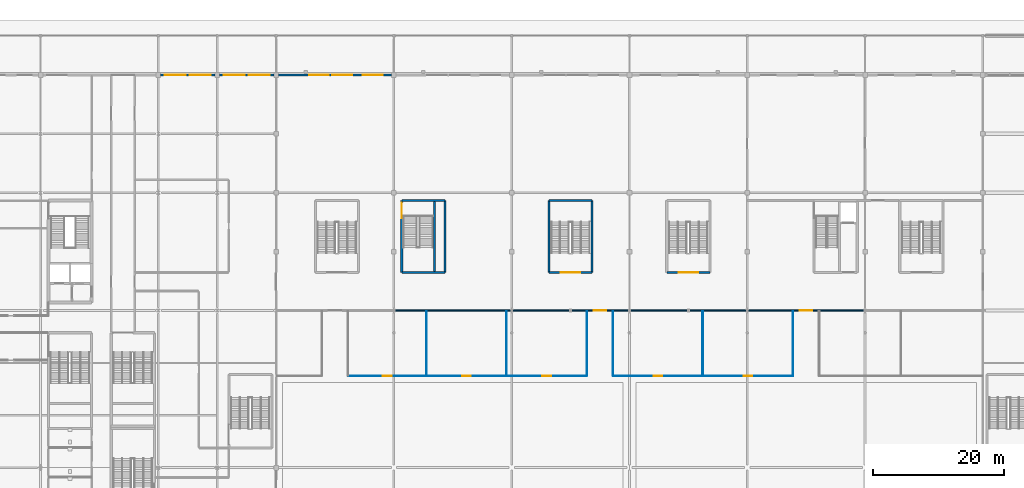
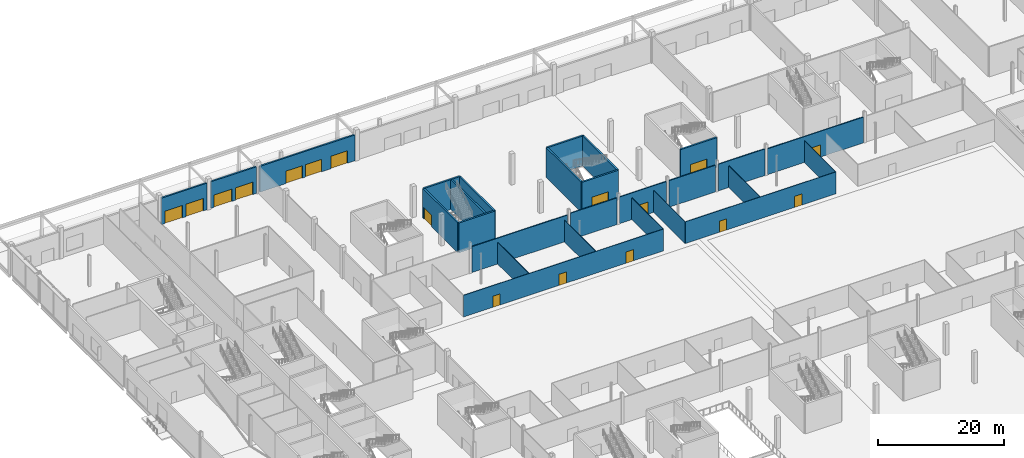
# One storey, part 36 of 84: 27 walls, 17 doors, 17 openings.
"""IFC4 building model written with IfcOpenShell, lengths in metres."""

from ifc_helpers import new_model, si_unit, direction, frame, frame_2d, origin, place, context, subcontext, project, spatial, rectangle, extrude, material, layer, layer_set, type_object, element, fill, save


model = new_model("IFC4")

# Units and contexts
model_context = context("Model", 3, precision=1e-05, world=origin(), true_north=direction((0.0, 1.0)))
body_context = subcontext(model_context, "Body", "Model", "MODEL_VIEW")
ifc_project = project(units=[si_unit("LENGTHUNIT", "METRE"), si_unit("AREAUNIT", "SQUARE_METRE"), si_unit("VOLUMEUNIT", "CUBIC_METRE"), si_unit("PLANEANGLEUNIT", "RADIAN"), si_unit("MASSUNIT", "GRAM", prefix="KILO")], contexts=[model_context])

# Site, building, storey
site_placement = place(None, origin())
site = spatial("IfcSite", under=ifc_project, at=site_placement, CompositionType="ELEMENT")
building_placement = place(site_placement, origin())
building = spatial("IfcBuilding", under=site, at=building_placement, Name="Kisiwana Market Hall", CompositionType="ELEMENT")
storey_placement = place(building_placement, origin())
storey = spatial("IfcBuildingStorey", under=building, at=storey_placement, Name="L00", CompositionType="ELEMENT", Elevation=0.0)

# Walls
ifc_material_1 = material(Name="Concrete C40/50", Category="concrete")
ifc_layer_1 = layer(ifc_material_1, 0.320068359375, Name="Reinforced concrete shaft wall")
ifc_layer_set_1 = layer_set([ifc_layer_1], Name="WL-CORE-320")
wall_type_1 = type_object("IfcWallType", Name="WL-CORE-320", PredefinedType="SHEAR", material=ifc_layer_set_1)
for number, where, z_axis, x_axis, name in (
    (1, (64.199951171875, 89.800048828125, 0.0), (0.0, 0.0, 1.0), (1.0, 0.0, 0.0), "Core N1 south wall W-0382"),
    (2, (64.199951171875, 100.800048828125, 0.0), (0.0, 0.0, 1.0), (1.0, 0.0, 0.0), "Core N1 north wall W-0383"),
):
    element("IfcWall", number, at=place(storey_placement, frame(where, z_axis=z_axis, x_axis=x_axis)), inside=storey, type_object=wall_type_1, Name=name, PredefinedType="SHEAR", context=body_context, shape_type="SweptSolid", body=[
        extrude(rectangle(XDim=6.60009765625, YDim=0.320068359375, at=frame_2d((3.300048828125, 0.0))), origin(), (0.0, 0.0, 1.0), 5.75),
    ])

# Wall, opening, door
wall_1_placement = place(storey_placement, frame((64.199951171875, 89.800048828125, 0.0), z_axis=(0.0, 0.0, 1.0), x_axis=(0.0, 1.0, 0.0)))
wall_1 = element("IfcWall", 3, at=wall_1_placement, inside=storey, type_object=wall_type_1, Name="Core N1 west wall W-0384", PredefinedType="SHEAR", context=body_context, shape_type="SweptSolid", body=[
    extrude(rectangle(XDim=11.0, YDim=0.320068359375, at=frame_2d((5.5, 0.0))), origin(), (0.0, 0.0, 1.0), 5.75),
])
opening_1_placement = place(wall_1_placement, frame((8.300048828125, 0.0, 0.0)))
opening_1 = element("IfcOpeningElement", 4, at=opening_1_placement, cuts=wall_1, Name="Opening DR-L00-016", PredefinedType="OPENING", context=body_context, shape_type="SweptSolid", body=[
    extrude(rectangle(XDim=2.39990234375, YDim=2.25, at=frame_2d((1.199951171875, 1.125))), frame((0.0, 0.171875, 0.0), z_axis=(0.0, -1.0, 0.0), x_axis=(1.0, 0.0, 0.0)), (0.0, 0.0, 1.0), 0.343994140625),
])
ifc_material_2 = material(Name="Steel S275", Category="steel")
door_type_1 = type_object("IfcDoorType", Name="DR-STAIR-FD120-2400", OperationType="DOUBLE_DOOR_SINGLE_SWING", PredefinedType="DOOR", material=ifc_material_2)
door_1_placement = place(opening_1_placement, origin())
door_1 = element("IfcDoor", 5, at=door_1_placement, inside=storey, type_object=door_type_1, Name="Podium Escape Stair N1 Fire Door (L00)", OperationType="DOUBLE_DOOR_SINGLE_SWING", OverallHeight=2.25, OverallWidth=2.39990234375, PredefinedType="DOOR", context=body_context, shape_type="SweptSolid", body=[
    extrude(rectangle(XDim=2.39990234375, YDim=2.25, at=frame_2d((1.199951171875, 1.125))), frame((0.0, 0.02490234375, 0.0), z_axis=(0.0, -1.0, 0.0), x_axis=(1.0, 0.0, 0.0)), (0.0, 0.0, 1.0), 0.050048828125),
])
fill(opening_1, door_1)

# Walls
wall_2_placement = place(storey_placement, frame((70.800048828125, 89.800048828125, 0.0), z_axis=(0.0, 0.0, 1.0), x_axis=(0.0, 1.0, 0.0)))
element("IfcWall", 6, at=wall_2_placement, inside=storey, type_object=wall_type_1, Name="Core N1 east wall W-0385", PredefinedType="SHEAR", context=body_context, shape_type="SweptSolid", body=[
    extrude(rectangle(XDim=11.0, YDim=0.320068359375, at=frame_2d((5.5, 0.0))), origin(), (0.0, 0.0, 1.0), 5.75),
])
wall_3_placement = place(storey_placement, frame((69.219970703125, 89.9599609375, 0.0), z_axis=(0.0, 0.0, 1.0), x_axis=(0.0, 1.0, 0.0)))
element("IfcWall", 7, at=wall_3_placement, inside=storey, type_object=wall_type_1, Name="Core N1 shaft divider W-0386", PredefinedType="SHEAR", context=body_context, shape_type="SweptSolid", body=[
    extrude(rectangle(XDim=10.679931640625, YDim=0.320068359375, at=frame_2d((5.33984375, 0.0))), origin(), (0.0, 0.0, 1.0), 5.75),
])

# Wall, opening, door
wall_4_placement = place(storey_placement, frame((86.699951171875, 89.800048828125, 0.0), z_axis=(0.0, 0.0, 1.0), x_axis=(1.0, 0.0, 0.0)))
wall_4 = element("IfcWall", 8, at=wall_4_placement, inside=storey, type_object=wall_type_1, Name="Core N4 corridor shear wall W-0469", PredefinedType="SHEAR", context=body_context, shape_type="SweptSolid", body=[
    extrude(rectangle(XDim=6.60009765625, YDim=0.320068359375, at=frame_2d((3.300048828125, 0.0))), origin(), (0.0, 0.0, 1.0), 5.75),
])
opening_2_placement = place(wall_4_placement, frame((1.800048828125, 0.0, 0.0)))
opening_2 = element("IfcOpeningElement", 9, at=opening_2_placement, cuts=wall_4, Name="Opening DR-L00-036", PredefinedType="OPENING", context=body_context, shape_type="SweptSolid", body=[
    extrude(rectangle(XDim=3.0, YDim=2.25, at=frame_2d((1.5, 1.125))), frame((0.0, 0.171875, 0.0), z_axis=(0.0, -1.0, 0.0), x_axis=(1.0, 0.0, 0.0)), (0.0, 0.0, 1.0), 0.343994140625),
])
ifc_material_3 = material(Name="Steel S275", Category="steel")
door_type_2 = type_object("IfcDoorType", Name="DR-STAIR-FD120-3000", OperationType="DOUBLE_DOOR_SINGLE_SWING", PredefinedType="DOOR", material=ifc_material_3)
door_2_placement = place(opening_2_placement, frame((3.0, 0.0, 0.0), z_axis=(0.0, 0.0, 1.0), x_axis=(-1.0, 0.0, 0.0)))
door_2 = element("IfcDoor", 10, at=door_2_placement, inside=storey, type_object=door_type_2, Name="Escape Stair N4 Fire Door (L00)", OperationType="DOUBLE_DOOR_SINGLE_SWING", OverallHeight=2.25, OverallWidth=3.0, PredefinedType="DOOR", context=body_context, shape_type="SweptSolid", body=[
    extrude(rectangle(XDim=3.0, YDim=2.25, at=frame_2d((1.5, 1.125))), frame((0.0, 0.02490234375, 0.0), z_axis=(0.0, -1.0, 0.0), x_axis=(1.0, 0.0, 0.0)), (0.0, 0.0, 1.0), 0.050048828125),
])
fill(opening_2, door_2)

# Walls
wall_5_placement = place(storey_placement, frame((86.699951171875, 100.800048828125, 0.0), z_axis=(0.0, 0.0, 1.0), x_axis=(1.0, 0.0, 0.0)))
element("IfcWall", 11, at=wall_5_placement, inside=storey, type_object=wall_type_1, Name="Core N4 outer shear wall W-0470", PredefinedType="SHEAR", context=body_context, shape_type="SweptSolid", body=[
    extrude(rectangle(XDim=6.60009765625, YDim=0.320068359375, at=frame_2d((3.300048828125, 0.0))), origin(), (0.0, 0.0, 1.0), 5.75),
])
for number, where, z_axis, x_axis, name in (
    (12, (86.699951171875, 89.800048828125, 0.0), (0.0, 0.0, 1.0), (0.0, 1.0, 0.0), "Core N4 west shear wall W-0471"),
    (13, (93.300048828125, 89.800048828125, 0.0), (0.0, 0.0, 1.0), (0.0, 1.0, 0.0), "Core N4 east shear wall W-0472"),
):
    element("IfcWall", number, at=place(storey_placement, frame(where, z_axis=z_axis, x_axis=x_axis)), inside=storey, type_object=wall_type_1, Name=name, PredefinedType="SHEAR", context=body_context, shape_type="SweptSolid", body=[
        extrude(rectangle(XDim=11.0, YDim=0.320068359375, at=frame_2d((5.5, 0.0))), origin(), (0.0, 0.0, 1.0), 5.75),
    ])

# Wall, opening, door
wall_6_placement = place(storey_placement, frame((104.699951171875, 89.800048828125, 0.0), z_axis=(0.0, 0.0, 1.0), x_axis=(1.0, 0.0, 0.0)))
wall_6 = element("IfcWall", 14, at=wall_6_placement, inside=storey, type_object=wall_type_1, Name="Core N5 corridor shear wall W-0477", PredefinedType="SHEAR", context=body_context, shape_type="SweptSolid", body=[
    extrude(rectangle(XDim=6.60009765625, YDim=0.320068359375, at=frame_2d((3.300048828125, 0.0))), origin(), (0.0, 0.0, 1.0), 5.75),
])
opening_3_placement = place(wall_6_placement, frame((1.800048828125, 0.0, 0.0)))
opening_3 = element("IfcOpeningElement", 15, at=opening_3_placement, cuts=wall_6, Name="Opening DR-L00-038", PredefinedType="OPENING", context=body_context, shape_type="SweptSolid", body=[
    extrude(rectangle(XDim=3.0, YDim=2.25, at=frame_2d((1.5, 1.125))), frame((0.0, 0.171875, 0.0), z_axis=(0.0, -1.0, 0.0), x_axis=(1.0, 0.0, 0.0)), (0.0, 0.0, 1.0), 0.343994140625),
])
door_3_placement = place(opening_3_placement, frame((3.0, 0.0, 0.0), z_axis=(0.0, 0.0, 1.0), x_axis=(-1.0, 0.0, 0.0)))
door_3 = element("IfcDoor", 16, at=door_3_placement, inside=storey, type_object=door_type_2, Name="Escape Stair N5 Fire Door (L00)", OperationType="DOUBLE_DOOR_SINGLE_SWING", OverallHeight=2.25, OverallWidth=3.0, PredefinedType="DOOR", context=body_context, shape_type="SweptSolid", body=[
    extrude(rectangle(XDim=3.0, YDim=2.25, at=frame_2d((1.5, 1.125))), frame((0.0, 0.02490234375, 0.0), z_axis=(0.0, -1.0, 0.0), x_axis=(1.0, 0.0, 0.0)), (0.0, 0.0, 1.0), 0.050048828125),
])
fill(opening_3, door_3)

# Walls
ifc_material_4 = material(Name="Masonry blockwork", Category="masonry")
ifc_layer_2 = layer(ifc_material_4, 0.169921875, Name="Protected corridor partition")
ifc_layer_set_2 = layer_set([ifc_layer_2], Name="WL-CORR-170")
wall_type_2 = type_object("IfcWallType", Name="WL-CORR-170", PredefinedType="PARTITIONING", material=ifc_layer_set_2)
wall_7_placement = place(storey_placement, frame((63.25, 84.0, 0.0), z_axis=(0.0, 0.0, 1.0), x_axis=(1.0, 0.0, 0.0)))
element("IfcWall", 17, at=wall_7_placement, inside=storey, type_object=wall_type_2, Name="Interior partition W-0628", PredefinedType="PARTITIONING", context=body_context, shape_type="SweptSolid", body=[
    extrude(rectangle(XDim=17.5, YDim=0.169921875, at=frame_2d((8.75, 0.0))), origin(), (0.0, 0.0, 1.0), 4.98779296875),
])
wall_8_placement = place(storey_placement, frame((81.25, 84.0, 0.0), z_axis=(0.0, 0.0, 1.0), x_axis=(1.0, 0.0, 0.0)))
element("IfcWall", 18, at=wall_8_placement, inside=storey, type_object=wall_type_2, Name="Interior partition W-0630", PredefinedType="PARTITIONING", context=body_context, shape_type="SweptSolid", body=[
    extrude(rectangle(XDim=8.5, YDim=0.169921875, at=frame_2d((4.25, 0.0))), origin(), (0.0, 0.0, 1.0), 5.1376953125),
])

# Wall, opening, door
wall_9_placement = place(storey_placement, frame((90.25, 84.0, 0.0), z_axis=(0.0, 0.0, 1.0), x_axis=(1.0, 0.0, 0.0)))
wall_9 = element("IfcWall", 19, at=wall_9_placement, inside=storey, type_object=wall_type_2, Name="Interior partition W-0632", PredefinedType="PARTITIONING", context=body_context, shape_type="SweptSolid", body=[
    extrude(rectangle(XDim=8.5, YDim=0.169921875, at=frame_2d((4.25, 0.0))), origin(), (0.0, 0.0, 1.0), 5.1376953125),
])
opening_4_placement = place(wall_9_placement, frame((3.300048828125, 0.0, 0.0)))
opening_4 = element("IfcOpeningElement", 20, at=opening_4_placement, cuts=wall_9, Name="Opening DR-L00-098", PredefinedType="OPENING", context=body_context, shape_type="SweptSolid", body=[
    extrude(rectangle(XDim=1.89990234375, YDim=2.35009765625, at=frame_2d((0.949951171875, 1.175048828125))), frame((0.0, 0.096923828125, 0.0), z_axis=(0.0, -1.0, 0.0), x_axis=(1.0, 0.0, 0.0)), (0.0, 0.0, 1.0), 0.19384765625),
])
ifc_material_5 = material(Name="Steel S275", Category="steel")
door_type_3 = type_object("IfcDoorType", Name="DR-HALL-1900", OperationType="DOUBLE_DOOR_SINGLE_SWING", PredefinedType="DOOR", material=ifc_material_5)
door_4_placement = place(opening_4_placement, origin())
door_4 = element("IfcDoor", 21, at=door_4_placement, inside=storey, type_object=door_type_3, Name="L00 Market Hall North Archway Door 2", OperationType="DOUBLE_DOOR_SINGLE_SWING", OverallHeight=2.35009765625, OverallWidth=1.89990234375, PredefinedType="DOOR", context=body_context, shape_type="SweptSolid", body=[
    extrude(rectangle(XDim=1.89990234375, YDim=2.35009765625, at=frame_2d((0.949951171875, 1.175048828125))), frame((0.0, 0.02490234375, 0.0), z_axis=(0.0, -1.0, 0.0), x_axis=(1.0, 0.0, 0.0)), (0.0, 0.0, 1.0), 0.050048828125),
])
fill(opening_4, door_4)

# Walls
for number, where, z_axis, x_axis, name in (
    (22, (99.25, 84.0, 0.0), (0.0, 0.0, 1.0), (1.0, 0.0, 0.0), "Interior partition W-0634"),
    (23, (108.25, 84.0, 0.0), (0.0, 0.0, 1.0), (1.0, 0.0, 0.0), "Interior partition W-0636"),
):
    element("IfcWall", number, at=place(storey_placement, frame(where, z_axis=z_axis, x_axis=x_axis)), inside=storey, type_object=wall_type_2, Name=name, PredefinedType="PARTITIONING", context=body_context, shape_type="SweptSolid", body=[
        extrude(rectangle(XDim=8.5, YDim=0.169921875, at=frame_2d((4.25, 0.0))), origin(), (0.0, 0.0, 1.0), 5.1376953125),
    ])

# Wall, opening, door
wall_10_placement = place(storey_placement, frame((117.25, 84.0, 0.0), z_axis=(0.0, 0.0, 1.0), x_axis=(1.0, 0.0, 0.0)))
wall_10 = element("IfcWall", 24, at=wall_10_placement, inside=storey, type_object=wall_type_2, Name="Interior partition W-0638", PredefinedType="PARTITIONING", context=body_context, shape_type="SweptSolid", body=[
    extrude(rectangle(XDim=17.5, YDim=0.169921875, at=frame_2d((8.75, 0.0))), origin(), (0.0, 0.0, 1.0), 4.98779296875),
])
opening_5_placement = place(wall_10_placement, frame((7.800048828125, 0.0, 0.0)))
opening_5 = element("IfcOpeningElement", 25, at=opening_5_placement, cuts=wall_10, Name="Opening DR-L00-100", PredefinedType="OPENING", context=body_context, shape_type="SweptSolid", body=[
    extrude(rectangle(XDim=1.89990234375, YDim=2.35009765625, at=frame_2d((0.949951171875, 1.175048828125))), frame((0.0, 0.096923828125, 0.0), z_axis=(0.0, -1.0, 0.0), x_axis=(1.0, 0.0, 0.0)), (0.0, 0.0, 1.0), 0.19384765625),
])
door_5_placement = place(opening_5_placement, origin())
door_5 = element("IfcDoor", 26, at=door_5_placement, inside=storey, type_object=door_type_3, Name="L00 Market Hall North Archway Door 3", OperationType="DOUBLE_DOOR_SINGLE_SWING", OverallHeight=2.35009765625, OverallWidth=1.89990234375, PredefinedType="DOOR", context=body_context, shape_type="SweptSolid", body=[
    extrude(rectangle(XDim=1.89990234375, YDim=2.35009765625, at=frame_2d((0.949951171875, 1.175048828125))), frame((0.0, 0.02490234375, 0.0), z_axis=(0.0, -1.0, 0.0), x_axis=(1.0, 0.0, 0.0)), (0.0, 0.0, 1.0), 0.050048828125),
])
fill(opening_5, door_5)

# Wall, openings, doors
ifc_material_6 = material(Name="Masonry blockwork", Category="masonry")
ifc_layer_3 = layer(ifc_material_6, 0.139892578125, Name="Rendered masonry outer leaf")
ifc_material_7 = material(Name="Mineral wool insulation")
ifc_layer_4 = layer(ifc_material_7, 0.074951171875, Name="Mineral wool cavity insulation")
ifc_material_8 = material(Name="Gypsum plasterboard")
ifc_layer_5 = layer(ifc_material_8, 0.074951171875, Name="Calcium silicate inner lining")
ifc_layer_set_3 = layer_set([ifc_layer_3, ifc_layer_4, ifc_layer_5], Name="WL-EXT-MAS-290")
wall_type_3 = type_object("IfcWallType", Name="WL-EXT-MAS-290", PredefinedType="STANDARD", material=ifc_layer_set_3)
wall_11_placement = place(storey_placement, frame((27.342041015625, 120.0, 0.0), z_axis=(0.0, 0.0, 1.0), x_axis=(1.0, 0.0, 0.0)))
wall_11 = element("IfcWall", 27, at=wall_11_placement, inside=storey, type_object=wall_type_3, Name="Exterior wall W-0505", PredefinedType="STANDARD", context=body_context, shape_type="SweptSolid", body=[
    extrude(rectangle(XDim=8.31591796875, YDim=0.2900390625, at=frame_2d((4.157958984375, 0.0))), origin(), (0.0, 0.0, 1.0), 5.1376953125),
])
opening_6_placement = place(wall_11_placement, frame((0.62890625, 0.0, 0.0)))
opening_6 = element("IfcOpeningElement", 28, at=opening_6_placement, cuts=wall_11, Name="Opening DR-L00-832", PredefinedType="OPENING", context=body_context, shape_type="SweptSolid", body=[
    extrude(rectangle(XDim=3.199951171875, YDim=2.39990234375, at=frame_2d((1.60009765625, 1.199951171875))), frame((0.0, 0.156982421875, 0.0), z_axis=(0.0, -1.0, 0.0), x_axis=(1.0, 0.0, 0.0)), (0.0, 0.0, 1.0), 0.31396484375),
])
opening_7_placement = place(wall_11_placement, frame((4.487060546875, 0.0, 0.0)))
opening_7 = element("IfcOpeningElement", 29, at=opening_7_placement, cuts=wall_11, Name="Opening DR-L00-833", PredefinedType="OPENING", context=body_context, shape_type="SweptSolid", body=[
    extrude(rectangle(XDim=3.199951171875, YDim=2.39990234375, at=frame_2d((1.60009765625, 1.199951171875))), frame((0.0, 0.156982421875, 0.0), z_axis=(0.0, -1.0, 0.0), x_axis=(1.0, 0.0, 0.0)), (0.0, 0.0, 1.0), 0.31396484375),
])
ifc_material_9 = material(Name="Aluminium alloy 6063-T6", Category="aluminium")
door_type_4 = type_object("IfcDoorType", Name="DR-EXT-EX-3200", OperationType="DOUBLE_DOOR_SINGLE_SWING", PredefinedType="DOOR", material=ifc_material_9)
door_6_placement = place(opening_6_placement, origin())
door_6 = element("IfcDoor", 30, at=door_6_placement, inside=storey, type_object=door_type_4, Name="Ground avenue pedestrian final exit door DR-L00-832", OperationType="DOUBLE_DOOR_SINGLE_SWING", OverallHeight=2.39990234375, OverallWidth=3.199951171875, PredefinedType="DOOR", context=body_context, shape_type="SweptSolid", body=[
    extrude(rectangle(XDim=3.199951171875, YDim=2.39990234375, at=frame_2d((1.60009765625, 1.199951171875))), frame((0.0, 0.02490234375, 0.0), z_axis=(0.0, -1.0, 0.0), x_axis=(1.0, 0.0, 0.0)), (0.0, 0.0, 1.0), 0.050048828125),
])
fill(opening_6, door_6)
door_7_placement = place(opening_7_placement, origin())
door_7 = element("IfcDoor", 31, at=door_7_placement, inside=storey, type_object=door_type_4, Name="Ground avenue pedestrian final exit door DR-L00-833", OperationType="DOUBLE_DOOR_SINGLE_SWING", OverallHeight=2.39990234375, OverallWidth=3.199951171875, PredefinedType="DOOR", context=body_context, shape_type="SweptSolid", body=[
    extrude(rectangle(XDim=3.199951171875, YDim=2.39990234375, at=frame_2d((1.60009765625, 1.199951171875))), frame((0.0, 0.02490234375, 0.0), z_axis=(0.0, -1.0, 0.0), x_axis=(1.0, 0.0, 0.0)), (0.0, 0.0, 1.0), 0.050048828125),
])
fill(opening_7, door_7)

wall_12_placement = place(storey_placement, frame((36.342041015625, 120.0, 0.0), z_axis=(0.0, 0.0, 1.0), x_axis=(1.0, 0.0, 0.0)))
wall_12 = element("IfcWall", 32, at=wall_12_placement, inside=storey, type_object=wall_type_3, Name="Exterior wall W-0506", PredefinedType="STANDARD", context=body_context, shape_type="SweptSolid", body=[
    extrude(rectangle(XDim=8.31591796875, YDim=0.2900390625, at=frame_2d((4.157958984375, 0.0))), origin(), (0.0, 0.0, 1.0), 5.1376953125),
])
opening_8_placement = place(wall_12_placement, frame((0.62890625, 0.0, 0.0)))
opening_8 = element("IfcOpeningElement", 33, at=opening_8_placement, cuts=wall_12, Name="Opening DR-L00-834", PredefinedType="OPENING", context=body_context, shape_type="SweptSolid", body=[
    extrude(rectangle(XDim=3.199951171875, YDim=2.39990234375, at=frame_2d((1.60009765625, 1.199951171875))), frame((0.0, 0.156982421875, 0.0), z_axis=(0.0, -1.0, 0.0), x_axis=(1.0, 0.0, 0.0)), (0.0, 0.0, 1.0), 0.31396484375),
])
opening_9_placement = place(wall_12_placement, frame((4.487060546875, 0.0, 0.0)))
opening_9 = element("IfcOpeningElement", 34, at=opening_9_placement, cuts=wall_12, Name="Opening DR-L00-835", PredefinedType="OPENING", context=body_context, shape_type="SweptSolid", body=[
    extrude(rectangle(XDim=3.199951171875, YDim=2.39990234375, at=frame_2d((1.60009765625, 1.199951171875))), frame((0.0, 0.156982421875, 0.0), z_axis=(0.0, -1.0, 0.0), x_axis=(1.0, 0.0, 0.0)), (0.0, 0.0, 1.0), 0.31396484375),
])
door_8_placement = place(opening_8_placement, origin())
door_8 = element("IfcDoor", 35, at=door_8_placement, inside=storey, type_object=door_type_4, Name="Ground avenue pedestrian final exit door DR-L00-834", OperationType="DOUBLE_DOOR_SINGLE_SWING", OverallHeight=2.39990234375, OverallWidth=3.199951171875, PredefinedType="DOOR", context=body_context, shape_type="SweptSolid", body=[
    extrude(rectangle(XDim=3.199951171875, YDim=2.39990234375, at=frame_2d((1.60009765625, 1.199951171875))), frame((0.0, 0.02490234375, 0.0), z_axis=(0.0, -1.0, 0.0), x_axis=(1.0, 0.0, 0.0)), (0.0, 0.0, 1.0), 0.050048828125),
])
fill(opening_8, door_8)
door_9_placement = place(opening_9_placement, origin())
door_9 = element("IfcDoor", 36, at=door_9_placement, inside=storey, type_object=door_type_4, Name="Ground avenue pedestrian final exit door DR-L00-835", OperationType="DOUBLE_DOOR_SINGLE_SWING", OverallHeight=2.39990234375, OverallWidth=3.199951171875, PredefinedType="DOOR", context=body_context, shape_type="SweptSolid", body=[
    extrude(rectangle(XDim=3.199951171875, YDim=2.39990234375, at=frame_2d((1.60009765625, 1.199951171875))), frame((0.0, 0.02490234375, 0.0), z_axis=(0.0, -1.0, 0.0), x_axis=(1.0, 0.0, 0.0)), (0.0, 0.0, 1.0), 0.050048828125),
])
fill(opening_9, door_9)

wall_13_placement = place(storey_placement, frame((45.342041015625, 120.0, 0.0), z_axis=(0.0, 0.0, 1.0), x_axis=(1.0, 0.0, 0.0)))
wall_13 = element("IfcWall", 37, at=wall_13_placement, inside=storey, type_object=wall_type_3, Name="Exterior wall W-0507", PredefinedType="STANDARD", context=body_context, shape_type="SweptSolid", body=[
    extrude(rectangle(XDim=17.31591796875, YDim=0.2900390625, at=frame_2d((8.657958984375, 0.0))), origin(), (0.0, 0.0, 1.0), 4.98779296875),
])
opening_10_placement = place(wall_13_placement, frame((4.736083984375, 0.0, 0.0)))
opening_10 = element("IfcOpeningElement", 38, at=opening_10_placement, cuts=wall_13, Name="Opening DR-L00-836", PredefinedType="OPENING", context=body_context, shape_type="SweptSolid", body=[
    extrude(rectangle(XDim=3.0, YDim=2.39990234375, at=frame_2d((1.5, 1.199951171875))), frame((0.0, 0.156982421875, 0.0), z_axis=(0.0, -1.0, 0.0), x_axis=(1.0, 0.0, 0.0)), (0.0, 0.0, 1.0), 0.31396484375),
])
opening_11_placement = place(wall_13_placement, frame((8.258056640625, 0.0, 0.0)))
opening_11 = element("IfcOpeningElement", 39, at=opening_11_placement, cuts=wall_13, Name="Opening DR-L00-837", PredefinedType="OPENING", context=body_context, shape_type="SweptSolid", body=[
    extrude(rectangle(XDim=3.0, YDim=2.39990234375, at=frame_2d((1.5, 1.199951171875))), frame((0.0, 0.156982421875, 0.0), z_axis=(0.0, -1.0, 0.0), x_axis=(1.0, 0.0, 0.0)), (0.0, 0.0, 1.0), 0.31396484375),
])
opening_12_placement = place(wall_13_placement, frame((12.929931640625, 0.0, 0.0)))
opening_12 = element("IfcOpeningElement", 40, at=opening_12_placement, cuts=wall_13, Name="Opening DR-L00-838", PredefinedType="OPENING", context=body_context, shape_type="SweptSolid", body=[
    extrude(rectangle(XDim=3.0, YDim=2.39990234375, at=frame_2d((1.5, 1.199951171875))), frame((0.0, 0.156982421875, 0.0), z_axis=(0.0, -1.0, 0.0), x_axis=(1.0, 0.0, 0.0)), (0.0, 0.0, 1.0), 0.31396484375),
])
ifc_material_10 = material(Name="Aluminium alloy 6063-T6", Category="aluminium")
door_type_5 = type_object("IfcDoorType", Name="DR-EXT-EX-3000", OperationType="DOUBLE_DOOR_SINGLE_SWING", PredefinedType="DOOR", material=ifc_material_10)
door_10_placement = place(opening_10_placement, origin())
door_10 = element("IfcDoor", 41, at=door_10_placement, inside=storey, type_object=door_type_5, Name="Ground avenue pedestrian final exit door DR-L00-836", OperationType="DOUBLE_DOOR_SINGLE_SWING", OverallHeight=2.39990234375, OverallWidth=3.0, PredefinedType="DOOR", context=body_context, shape_type="SweptSolid", body=[
    extrude(rectangle(XDim=3.0, YDim=2.39990234375, at=frame_2d((1.5, 1.199951171875))), frame((0.0, 0.02490234375, 0.0), z_axis=(0.0, -1.0, 0.0), x_axis=(1.0, 0.0, 0.0)), (0.0, 0.0, 1.0), 0.050048828125),
])
fill(opening_10, door_10)
door_11_placement = place(opening_11_placement, origin())
door_11 = element("IfcDoor", 42, at=door_11_placement, inside=storey, type_object=door_type_5, Name="Ground avenue pedestrian final exit door DR-L00-837", OperationType="DOUBLE_DOOR_SINGLE_SWING", OverallHeight=2.39990234375, OverallWidth=3.0, PredefinedType="DOOR", context=body_context, shape_type="SweptSolid", body=[
    extrude(rectangle(XDim=3.0, YDim=2.39990234375, at=frame_2d((1.5, 1.199951171875))), frame((0.0, 0.02490234375, 0.0), z_axis=(0.0, -1.0, 0.0), x_axis=(1.0, 0.0, 0.0)), (0.0, 0.0, 1.0), 0.050048828125),
])
fill(opening_11, door_11)
door_12_placement = place(opening_12_placement, origin())
door_12 = element("IfcDoor", 43, at=door_12_placement, inside=storey, type_object=door_type_5, Name="Ground avenue pedestrian final exit door DR-L00-838", OperationType="DOUBLE_DOOR_SINGLE_SWING", OverallHeight=2.39990234375, OverallWidth=3.0, PredefinedType="DOOR", context=body_context, shape_type="SweptSolid", body=[
    extrude(rectangle(XDim=3.0, YDim=2.39990234375, at=frame_2d((1.5, 1.199951171875))), frame((0.0, 0.02490234375, 0.0), z_axis=(0.0, -1.0, 0.0), x_axis=(1.0, 0.0, 0.0)), (0.0, 0.0, 1.0), 0.050048828125),
])
fill(opening_12, door_12)

# Walls
ifc_material_11 = material(Name="Masonry blockwork", Category="masonry")
ifc_layer_6 = layer(ifc_material_11, 0.10009765625, Name="Tiled stall dwarf/full partition")
ifc_layer_set_4 = layer_set([ifc_layer_6], Name="WL-STALL-100")
wall_type_4 = type_object("IfcWallType", Name="WL-STALL-100", PredefinedType="PARTITIONING", material=ifc_layer_set_4)
for number, where, z_axis, x_axis, name in (
    (44, (68.0, 74.050048828125, 0.0), (0.0, 0.0, 1.0), (0.0, 1.0, 0.0), "Interior partition W-0604"),
    (45, (80.199951171875, 74.050048828125, 0.0), (0.0, 0.0, 1.0), (0.0, 1.0, 0.0), "Interior partition W-0606"),
):
    element("IfcWall", number, at=place(storey_placement, frame(where, z_axis=z_axis, x_axis=x_axis)), inside=storey, type_object=wall_type_4, Name=name, PredefinedType="PARTITIONING", context=body_context, shape_type="SweptSolid", body=[
        extrude(rectangle(XDim=9.864990234375, YDim=0.10009765625, at=frame_2d((4.9326171875, 0.0))), origin(), (0.0, 0.0, 1.0), 4.199951171875),
    ])
wall_14_placement = place(storey_placement, frame((92.5, 74.0, 0.0), z_axis=(0.0, 0.0, 1.0), x_axis=(0.0, 1.0, 0.0)))
element("IfcWall", 46, at=wall_14_placement, inside=storey, type_object=wall_type_4, Name="Interior partition W-0608", PredefinedType="PARTITIONING", context=body_context, shape_type="SweptSolid", body=[
    extrude(rectangle(XDim=9.9150390625, YDim=0.10009765625, at=frame_2d((4.95751953125, 0.0))), origin(), (0.0, 0.0, 1.0), 4.199951171875),
])

# Wall, openings, doors
wall_15_placement = place(storey_placement, frame((56.0, 74.0, 0.0), z_axis=(0.0, 0.0, 1.0), x_axis=(1.0, 0.0, 0.0)))
wall_15 = element("IfcWall", 47, at=wall_15_placement, inside=storey, type_object=wall_type_4, Name="Interior partition W-0610", PredefinedType="PARTITIONING", context=body_context, shape_type="SweptSolid", body=[
    extrude(rectangle(XDim=36.5, YDim=0.10009765625, at=frame_2d((18.25, 0.0))), origin(), (0.0, 0.0, 1.0), 4.199951171875),
])
opening_13_placement = place(wall_15_placement, frame((5.324951171875, 0.0, 0.0)))
opening_13 = element("IfcOpeningElement", 48, at=opening_13_placement, cuts=wall_15, Name="Opening DR-L00-084", PredefinedType="OPENING", context=body_context, shape_type="SweptSolid", body=[
    extrude(rectangle(XDim=1.35009765625, YDim=2.14990234375, at=frame_2d((0.675048828125, 1.074951171875))), frame((0.0, 0.06201171875, 0.0), z_axis=(0.0, -1.0, 0.0), x_axis=(1.0, 0.0, 0.0)), (0.0, 0.0, 1.0), 0.1240234375),
])
opening_14_placement = place(wall_15_placement, frame((17.425048828125, 0.0, 0.0)))
opening_14 = element("IfcOpeningElement", 49, at=opening_14_placement, cuts=wall_15, Name="Opening DR-L00-085", PredefinedType="OPENING", context=body_context, shape_type="SweptSolid", body=[
    extrude(rectangle(XDim=1.35009765625, YDim=2.14990234375, at=frame_2d((0.675048828125, 1.074951171875))), frame((0.0, 0.06201171875, 0.0), z_axis=(0.0, -1.0, 0.0), x_axis=(1.0, 0.0, 0.0)), (0.0, 0.0, 1.0), 0.1240234375),
])
opening_15_placement = place(wall_15_placement, frame((29.675048828125, 0.0, 0.0)))
opening_15 = element("IfcOpeningElement", 50, at=opening_15_placement, cuts=wall_15, Name="Opening DR-L00-086", PredefinedType="OPENING", context=body_context, shape_type="SweptSolid", body=[
    extrude(rectangle(XDim=1.35009765625, YDim=2.14990234375, at=frame_2d((0.675048828125, 1.074951171875))), frame((0.0, 0.06201171875, 0.0), z_axis=(0.0, -1.0, 0.0), x_axis=(1.0, 0.0, 0.0)), (0.0, 0.0, 1.0), 0.1240234375),
])
ifc_material_12 = material(Name="Aluminium alloy 6063-T6", Category="aluminium")
door_type_6 = type_object("IfcDoorType", Name="DR-STALL-1350", OperationType="SLIDING_TO_RIGHT", PredefinedType="DOOR", material=ifc_material_12)
door_13_placement = place(opening_13_placement, origin())
door_13 = element("IfcDoor", 51, at=door_13_placement, inside=storey, type_object=door_type_6, Name="L00 Produce Stall N02 Door", OperationType="SLIDING_TO_RIGHT", OverallHeight=2.14990234375, OverallWidth=1.35009765625, PredefinedType="DOOR", context=body_context, shape_type="SweptSolid", body=[
    extrude(rectangle(XDim=1.35009765625, YDim=2.14990234375, at=frame_2d((0.675048828125, 1.074951171875))), frame((0.0, 0.02490234375, 0.0), z_axis=(0.0, -1.0, 0.0), x_axis=(1.0, 0.0, 0.0)), (0.0, 0.0, 1.0), 0.050048828125),
])
fill(opening_13, door_13)
door_14_placement = place(opening_14_placement, origin())
door_14 = element("IfcDoor", 52, at=door_14_placement, inside=storey, type_object=door_type_6, Name="L00 Spice Stall N03 Door", OperationType="SLIDING_TO_RIGHT", OverallHeight=2.14990234375, OverallWidth=1.35009765625, PredefinedType="DOOR", context=body_context, shape_type="SweptSolid", body=[
    extrude(rectangle(XDim=1.35009765625, YDim=2.14990234375, at=frame_2d((0.675048828125, 1.074951171875))), frame((0.0, 0.02490234375, 0.0), z_axis=(0.0, -1.0, 0.0), x_axis=(1.0, 0.0, 0.0)), (0.0, 0.0, 1.0), 0.050048828125),
])
fill(opening_14, door_14)
door_15_placement = place(opening_15_placement, origin())
door_15 = element("IfcDoor", 53, at=door_15_placement, inside=storey, type_object=door_type_6, Name="L00 Spice Stall N04 Door", OperationType="SLIDING_TO_RIGHT", OverallHeight=2.14990234375, OverallWidth=1.35009765625, PredefinedType="DOOR", context=body_context, shape_type="SweptSolid", body=[
    extrude(rectangle(XDim=1.35009765625, YDim=2.14990234375, at=frame_2d((0.675048828125, 1.074951171875))), frame((0.0, 0.02490234375, 0.0), z_axis=(0.0, -1.0, 0.0), x_axis=(1.0, 0.0, 0.0)), (0.0, 0.0, 1.0), 0.050048828125),
])
fill(opening_15, door_15)

# Walls
wall_16_placement = place(storey_placement, frame((96.5, 74.0, 0.0), z_axis=(0.0, 0.0, 1.0), x_axis=(0.0, 1.0, 0.0)))
element("IfcWall", 54, at=wall_16_placement, inside=storey, type_object=wall_type_4, Name="Interior partition W-0612", PredefinedType="PARTITIONING", context=body_context, shape_type="SweptSolid", body=[
    extrude(rectangle(XDim=9.9150390625, YDim=0.10009765625, at=frame_2d((4.95751953125, 0.0))), origin(), (0.0, 0.0, 1.0), 4.199951171875),
])
wall_17_placement = place(storey_placement, frame((110.199951171875, 74.050048828125, 0.0), z_axis=(0.0, 0.0, 1.0), x_axis=(0.0, 1.0, 0.0)))
element("IfcWall", 55, at=wall_17_placement, inside=storey, type_object=wall_type_4, Name="Interior partition W-0614", PredefinedType="PARTITIONING", context=body_context, shape_type="SweptSolid", body=[
    extrude(rectangle(XDim=9.864990234375, YDim=0.10009765625, at=frame_2d((4.9326171875, 0.0))), origin(), (0.0, 0.0, 1.0), 4.199951171875),
])
wall_18_placement = place(storey_placement, frame((124.0, 74.0, 0.0), z_axis=(0.0, 0.0, 1.0), x_axis=(0.0, 1.0, 0.0)))
element("IfcWall", 56, at=wall_18_placement, inside=storey, type_object=wall_type_4, Name="Interior partition W-0616", PredefinedType="PARTITIONING", context=body_context, shape_type="SweptSolid", body=[
    extrude(rectangle(XDim=9.9150390625, YDim=0.10009765625, at=frame_2d((4.95751953125, 0.0))), origin(), (0.0, 0.0, 1.0), 4.199951171875),
])

# Wall, openings, doors
wall_19_placement = place(storey_placement, frame((96.5, 74.0, 0.0), z_axis=(0.0, 0.0, 1.0), x_axis=(1.0, 0.0, 0.0)))
wall_19 = element("IfcWall", 57, at=wall_19_placement, inside=storey, type_object=wall_type_4, Name="Interior partition W-0618", PredefinedType="PARTITIONING", context=body_context, shape_type="SweptSolid", body=[
    extrude(rectangle(XDim=27.5, YDim=0.10009765625, at=frame_2d((13.75, 0.0))), origin(), (0.0, 0.0, 1.0), 4.199951171875),
])
opening_16_placement = place(wall_19_placement, frame((6.175048828125, 0.0, 0.0)))
opening_16 = element("IfcOpeningElement", 58, at=opening_16_placement, cuts=wall_19, Name="Opening DR-L00-089", PredefinedType="OPENING", context=body_context, shape_type="SweptSolid", body=[
    extrude(rectangle(XDim=1.35009765625, YDim=2.14990234375, at=frame_2d((0.675048828125, 1.074951171875))), frame((0.0, 0.06201171875, 0.0), z_axis=(0.0, -1.0, 0.0), x_axis=(1.0, 0.0, 0.0)), (0.0, 0.0, 1.0), 0.1240234375),
])
opening_17_placement = place(wall_19_placement, frame((19.925048828125, 0.0, 0.0)))
opening_17 = element("IfcOpeningElement", 59, at=opening_17_placement, cuts=wall_19, Name="Opening DR-L00-090", PredefinedType="OPENING", context=body_context, shape_type="SweptSolid", body=[
    extrude(rectangle(XDim=1.35009765625, YDim=2.14990234375, at=frame_2d((0.675048828125, 1.074951171875))), frame((0.0, 0.06201171875, 0.0), z_axis=(0.0, -1.0, 0.0), x_axis=(1.0, 0.0, 0.0)), (0.0, 0.0, 1.0), 0.1240234375),
])
door_16_placement = place(opening_16_placement, origin())
door_16 = element("IfcDoor", 60, at=door_16_placement, inside=storey, type_object=door_type_6, Name="L00 Dry Goods Stall N05 Door", OperationType="SLIDING_TO_RIGHT", OverallHeight=2.14990234375, OverallWidth=1.35009765625, PredefinedType="DOOR", context=body_context, shape_type="SweptSolid", body=[
    extrude(rectangle(XDim=1.35009765625, YDim=2.14990234375, at=frame_2d((0.675048828125, 1.074951171875))), frame((0.0, 0.02490234375, 0.0), z_axis=(0.0, -1.0, 0.0), x_axis=(1.0, 0.0, 0.0)), (0.0, 0.0, 1.0), 0.050048828125),
])
fill(opening_16, door_16)
door_17_placement = place(opening_17_placement, origin())
door_17 = element("IfcDoor", 61, at=door_17_placement, inside=storey, type_object=door_type_6, Name="L00 Produce Stall N06 Door", OperationType="SLIDING_TO_RIGHT", OverallHeight=2.14990234375, OverallWidth=1.35009765625, PredefinedType="DOOR", context=body_context, shape_type="SweptSolid", body=[
    extrude(rectangle(XDim=1.35009765625, YDim=2.14990234375, at=frame_2d((0.675048828125, 1.074951171875))), frame((0.0, 0.02490234375, 0.0), z_axis=(0.0, -1.0, 0.0), x_axis=(1.0, 0.0, 0.0)), (0.0, 0.0, 1.0), 0.050048828125),
])
fill(opening_17, door_17)

save(model, "model.ifc")
